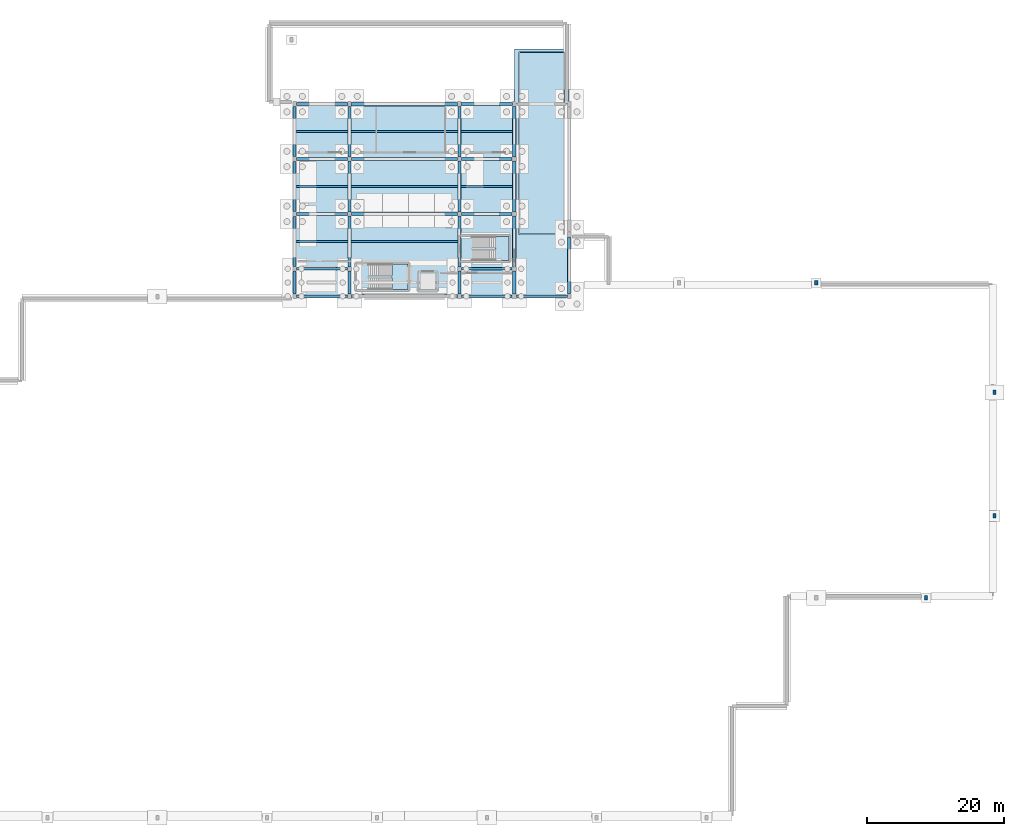
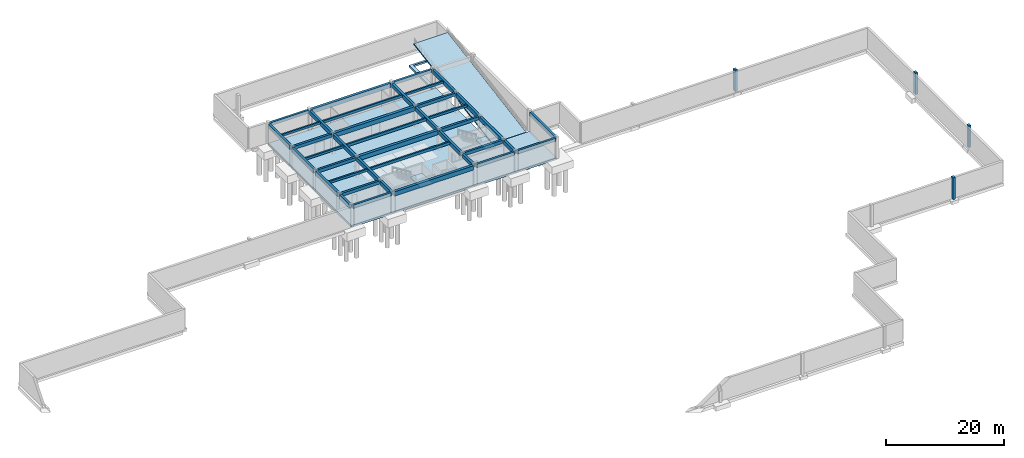
# One storey, part 4 of 11: 40 beams, 5 slabs, 4 columns, 2 elements without a shape of their own.
"""IFC4 building model written with IfcOpenShell, lengths in metres."""

from ifc_helpers import new_model, si_unit, direction, frame, origin, origin_2d, place, context, subcontext, project, spatial, polyline, rectangle, outline, extrude, material, layer, layer_set, material_profile, profile_set, type_object, element, aggregate, save


model = new_model("IFC4")

# Units and contexts
model_context = context("Model", 3, precision=1e-05, world=origin(), true_north=direction((0.0, 1.0)))
body_context = subcontext(model_context, "Body", "Model", "MODEL_VIEW")
ifc_project = project(units=[si_unit("LENGTHUNIT", "METRE"), si_unit("AREAUNIT", "SQUARE_METRE"), si_unit("VOLUMEUNIT", "CUBIC_METRE"), si_unit("PLANEANGLEUNIT", "RADIAN"), si_unit("MASSUNIT", "GRAM", prefix="KILO")], contexts=[model_context])

# Site, building, storey
site_placement = place(None, origin())
site = spatial("IfcSite", under=ifc_project, at=site_placement, CompositionType="ELEMENT")
building_placement = place(site_placement, origin())
building = spatial("IfcBuilding", under=site, at=building_placement, Name="Serraluz Foothill Cableway Terminal", CompositionType="ELEMENT")
storey_placement = place(building_placement, frame((0.0, 0.0, -4.5)))
storey = spatial("IfcBuildingStorey", under=building, at=storey_placement, Name="B1", CompositionType="ELEMENT", Elevation=-4.5)

# Columns
ifc_material_1 = material(Name="Andean basalt ashlar masonry (f'm 18 MPa)", Category="masonry")
ifc_material_profile_1 = material_profile(ifc_material_1, rectangle(XDim=0.449951171875, YDim=0.64990234375, at=origin_2d()), Name="PIL 450x650")
ifc_profile_set_1 = profile_set([ifc_material_profile_1], Name="Andean basalt ashlar masonry (f'm 18 MPa)")
column_type = type_object("IfcColumnType", Name="TYP-PIL-450X650", PredefinedType="PILASTER", material=ifc_profile_set_1)
for number, where, z_axis, x_axis, name in (
    (1, (164.0, 32.050048828125, 0.0), (0.0, 0.0, 1.0), (1.0, 0.0, 0.0), "Brick Pilaster Pier PL-51 B1"),
    (2, (173.949951171875, 44.0, 0.0), (0.0, 0.0, 1.0), (1.0, 0.0, 0.0), "Brick Pilaster Pier PL-52 B1"),
    (3, (173.949951171875, 62.0, 0.0), (0.0, 0.0, 1.0), (1.0, 0.0, 0.0), "Brick Pilaster Pier PL-53 B1"),
    (4, (148.0, 77.949951171875, 0.0), (0.0, 0.0, 1.0), (1.0, 0.0, 0.0), "Brick Pilaster Pier PL-54 B1"),
):
    element("IfcColumn", number, at=place(storey_placement, frame(where, z_axis=z_axis, x_axis=x_axis)), inside=storey, type_object=column_type, Name=name, PredefinedType="PILASTER", context=body_context, shape_type="SweptSolid", body=[
        extrude(rectangle(XDim=0.449951171875, YDim=0.64990234375, at=origin_2d()), origin(), (0.0, 0.0, 1.0), 4.5),
    ])

# Beams
ifc_material_2 = material(Name="Concrete C28/35 (f'c 28 MPa)", Category="concrete")
ifc_material_profile_2 = material_profile(ifc_material_2, rectangle(XDim=0.39990234375, YDim=0.64990234375, at=origin_2d()), Name="RC 400x650")
ifc_profile_set_2 = profile_set([ifc_material_profile_2], Name="Concrete C28/35 (f'c 28 MPa)")
beam_type_1 = type_object("IfcBeamType", Name="TYP-BM-RC400X650", PredefinedType="BEAM", material=ifc_profile_set_2)
beam_1_placement = place(storey_placement, frame((72.24609375, 76.0, 3.875), z_axis=(1.0, 0.0, 0.0), x_axis=(0.0, 1.0, 0.0)))
element("IfcBeam", 5, at=beam_1_placement, inside=storey, type_object=beam_type_1, Name="Primary Girder BM-X-B1-0001", PredefinedType="BEAM", context=body_context, shape_type="SweptSolid", body=[
    extrude(rectangle(XDim=0.39990234375, YDim=0.64990234375, at=origin_2d()), origin(), (0.0, 0.0, 1.0), 7.4580078125),
])
beam_2_placement = place(storey_placement, frame((96.2958984375, 76.0, 3.875), z_axis=(1.0, 0.0, 0.0), x_axis=(0.0, 1.0, 0.0)))
element("IfcBeam", 6, at=beam_2_placement, inside=storey, type_object=beam_type_1, Name="Primary Girder BM-X-B1-0003", PredefinedType="BEAM", context=body_context, shape_type="SweptSolid", body=[
    extrude(rectangle(XDim=0.39990234375, YDim=0.64990234375, at=origin_2d()), origin(), (0.0, 0.0, 1.0), 7.408203125),
])
for number, where, z_axis, x_axis, name in (
    (7, (104.2958984375, 76.0, 3.875), (1.0, 0.0, 0.0), (0.0, 1.0, 0.0), "Primary Girder BM-X-B1-0004"),
    (8, (72.24609375, 80.0, 3.875), (1.0, 0.0, 0.0), (0.0, 1.0, 0.0), "Primary Girder BM-X-B1-0005"),
):
    element("IfcBeam", number, at=place(storey_placement, frame(where, z_axis=z_axis, x_axis=x_axis)), inside=storey, type_object=beam_type_1, Name=name, PredefinedType="BEAM", context=body_context, shape_type="SweptSolid", body=[
        extrude(rectangle(XDim=0.39990234375, YDim=0.64990234375, at=origin_2d()), origin(), (0.0, 0.0, 1.0), 7.4580078125),
    ])
beam_3_placement = place(storey_placement, frame((96.2958984375, 80.0, 3.875), z_axis=(1.0, 0.0, 0.0), x_axis=(0.0, 1.0, 0.0)))
element("IfcBeam", 9, at=beam_3_placement, inside=storey, type_object=beam_type_1, Name="Primary Girder BM-X-B1-0006", PredefinedType="BEAM", context=body_context, shape_type="SweptSolid", body=[
    extrude(rectangle(XDim=0.39990234375, YDim=0.64990234375, at=origin_2d()), origin(), (0.0, 0.0, 1.0), 7.408203125),
])
beam_4_placement = place(storey_placement, frame((72.24609375, 88.0, 3.875), z_axis=(1.0, 0.0, 0.0), x_axis=(0.0, 1.0, 0.0)))
element("IfcBeam", 10, at=beam_4_placement, inside=storey, type_object=beam_type_1, Name="Primary Girder BM-X-B1-0007", PredefinedType="BEAM", context=body_context, shape_type="SweptSolid", body=[
    extrude(rectangle(XDim=0.39990234375, YDim=0.64990234375, at=origin_2d()), origin(), (0.0, 0.0, 1.0), 7.4580078125),
])
beam_5_placement = place(storey_placement, frame((96.2958984375, 88.0, 3.875), z_axis=(1.0, 0.0, 0.0), x_axis=(0.0, 1.0, 0.0)))
element("IfcBeam", 11, at=beam_5_placement, inside=storey, type_object=beam_type_1, Name="Primary Girder BM-X-B1-0009", PredefinedType="BEAM", context=body_context, shape_type="SweptSolid", body=[
    extrude(rectangle(XDim=0.39990234375, YDim=0.64990234375, at=origin_2d()), origin(), (0.0, 0.0, 1.0), 7.408203125),
])
beam_6_placement = place(storey_placement, frame((72.24609375, 96.0, 3.875), z_axis=(1.0, 0.0, 0.0), x_axis=(0.0, 1.0, 0.0)))
element("IfcBeam", 12, at=beam_6_placement, inside=storey, type_object=beam_type_1, Name="Primary Girder BM-X-B1-0010", PredefinedType="BEAM", context=body_context, shape_type="SweptSolid", body=[
    extrude(rectangle(XDim=0.39990234375, YDim=0.64990234375, at=origin_2d()), origin(), (0.0, 0.0, 1.0), 7.4580078125),
])
beam_7_placement = place(storey_placement, frame((96.2958984375, 96.0, 3.875), z_axis=(1.0, 0.0, 0.0), x_axis=(0.0, 1.0, 0.0)))
element("IfcBeam", 13, at=beam_7_placement, inside=storey, type_object=beam_type_1, Name="Primary Girder BM-X-B1-0012", PredefinedType="BEAM", context=body_context, shape_type="SweptSolid", body=[
    extrude(rectangle(XDim=0.39990234375, YDim=0.64990234375, at=origin_2d()), origin(), (0.0, 0.0, 1.0), 7.408203125),
])
for number, where, z_axis, x_axis, name in (
    (14, (72.24609375, 104.0, 3.875), (1.0, 0.0, 0.0), (0.0, 1.0, 0.0), "Primary Girder BM-X-B1-0013"),
    (15, (96.24609375, 104.0, 3.875), (1.0, 0.0, 0.0), (0.0, 1.0, 0.0), "Primary Girder BM-X-B1-0015"),
):
    element("IfcBeam", number, at=place(storey_placement, frame(where, z_axis=z_axis, x_axis=x_axis)), inside=storey, type_object=beam_type_1, Name=name, PredefinedType="BEAM", context=body_context, shape_type="SweptSolid", body=[
        extrude(rectangle(XDim=0.39990234375, YDim=0.64990234375, at=origin_2d()), origin(), (0.0, 0.0, 1.0), 7.5078125),
    ])
ifc_material_3 = material(Name="Concrete C35/45 (f'c 35 MPa)", Category="concrete")
ifc_material_profile_3 = material_profile(ifc_material_3, rectangle(XDim=0.449951171875, YDim=0.800048828125, at=origin_2d()), Name="RC 450x800")
ifc_profile_set_3 = profile_set([ifc_material_profile_3], Name="Concrete C35/45 (f'c 35 MPa)")
beam_type_2 = type_object("IfcBeamType", Name="TYP-BM-RC450X800", PredefinedType="BEAM", material=ifc_profile_set_3)
beam_8_placement = place(storey_placement, frame((72.0, 76.345947265625, 3.800048828125), z_axis=(0.0, 1.0, 0.0), x_axis=(-1.0, 0.0, 0.0)))
element("IfcBeam", 16, at=beam_8_placement, inside=storey, type_object=beam_type_2, Name="Transverse Girder BM-Y-B1-0016", PredefinedType="BEAM", context=body_context, shape_type="SweptSolid", body=[
    extrude(rectangle(XDim=0.449951171875, YDim=0.800048828125, at=origin_2d()), origin(), (0.0, 0.0, 1.0), 3.30810546875),
])
for number, where, z_axis, x_axis, name in (
    (17, (72.0, 80.345947265625, 3.800048828125), (0.0, 1.0, 0.0), (-1.0, 0.0, 0.0), "Transverse Girder BM-Y-B1-0017"),
    (18, (72.0, 88.345947265625, 3.800048828125), (0.0, 1.0, 0.0), (-1.0, 0.0, 0.0), "Transverse Girder BM-Y-B1-0018"),
    (19, (72.0, 96.345947265625, 3.800048828125), (0.0, 1.0, 0.0), (-1.0, 0.0, 0.0), "Transverse Girder BM-Y-B1-0019"),
):
    element("IfcBeam", number, at=place(storey_placement, frame(where, z_axis=z_axis, x_axis=x_axis)), inside=storey, type_object=beam_type_2, Name=name, PredefinedType="BEAM", context=body_context, shape_type="SweptSolid", body=[
        extrude(rectangle(XDim=0.449951171875, YDim=0.800048828125, at=origin_2d()), origin(), (0.0, 0.0, 1.0), 7.30810546875),
    ])
beam_9_placement = place(storey_placement, frame((80.0, 76.2958984375, 3.800048828125), z_axis=(0.0, 1.0, 0.0), x_axis=(-1.0, 0.0, 0.0)))
element("IfcBeam", 20, at=beam_9_placement, inside=storey, type_object=beam_type_2, Name="Transverse Girder BM-Y-B1-0020", PredefinedType="BEAM", context=body_context, shape_type="SweptSolid", body=[
    extrude(rectangle(XDim=0.449951171875, YDim=0.800048828125, at=origin_2d()), origin(), (0.0, 0.0, 1.0), 3.408203125),
])
for number, where, z_axis, x_axis, name in (
    (21, (80.0, 80.2958984375, 3.800048828125), (0.0, 1.0, 0.0), (-1.0, 0.0, 0.0), "Transverse Girder BM-Y-B1-0021"),
    (22, (80.0, 88.2958984375, 3.800048828125), (0.0, 1.0, 0.0), (-1.0, 0.0, 0.0), "Transverse Girder BM-Y-B1-0022"),
):
    element("IfcBeam", number, at=place(storey_placement, frame(where, z_axis=z_axis, x_axis=x_axis)), inside=storey, type_object=beam_type_2, Name=name, PredefinedType="BEAM", context=body_context, shape_type="SweptSolid", body=[
        extrude(rectangle(XDim=0.449951171875, YDim=0.800048828125, at=origin_2d()), origin(), (0.0, 0.0, 1.0), 7.408203125),
    ])
beam_10_placement = place(storey_placement, frame((80.0, 96.2958984375, 3.800048828125), z_axis=(0.0, 1.0, 0.0), x_axis=(-1.0, 0.0, 0.0)))
element("IfcBeam", 23, at=beam_10_placement, inside=storey, type_object=beam_type_2, Name="Transverse Girder BM-Y-B1-0023", PredefinedType="BEAM", context=body_context, shape_type="SweptSolid", body=[
    extrude(rectangle(XDim=0.449951171875, YDim=0.800048828125, at=origin_2d()), origin(), (0.0, 0.0, 1.0), 7.358154296875),
])
beam_11_placement = place(storey_placement, frame((96.0, 76.2958984375, 3.800048828125), z_axis=(0.0, 1.0, 0.0), x_axis=(-1.0, 0.0, 0.0)))
element("IfcBeam", 24, at=beam_11_placement, inside=storey, type_object=beam_type_2, Name="Transverse Girder BM-Y-B1-0024", PredefinedType="BEAM", context=body_context, shape_type="SweptSolid", body=[
    extrude(rectangle(XDim=0.449951171875, YDim=0.800048828125, at=origin_2d()), origin(), (0.0, 0.0, 1.0), 3.408203125),
])
for number, where, z_axis, x_axis, name in (
    (25, (96.0, 80.2958984375, 3.800048828125), (0.0, 1.0, 0.0), (-1.0, 0.0, 0.0), "Transverse Girder BM-Y-B1-0025"),
    (26, (96.0, 88.2958984375, 3.800048828125), (0.0, 1.0, 0.0), (-1.0, 0.0, 0.0), "Transverse Girder BM-Y-B1-0026"),
):
    element("IfcBeam", number, at=place(storey_placement, frame(where, z_axis=z_axis, x_axis=x_axis)), inside=storey, type_object=beam_type_2, Name=name, PredefinedType="BEAM", context=body_context, shape_type="SweptSolid", body=[
        extrude(rectangle(XDim=0.449951171875, YDim=0.800048828125, at=origin_2d()), origin(), (0.0, 0.0, 1.0), 7.408203125),
    ])
beam_12_placement = place(storey_placement, frame((96.0, 96.2958984375, 3.800048828125), z_axis=(0.0, 1.0, 0.0), x_axis=(-1.0, 0.0, 0.0)))
element("IfcBeam", 27, at=beam_12_placement, inside=storey, type_object=beam_type_2, Name="Transverse Girder BM-Y-B1-0027", PredefinedType="BEAM", context=body_context, shape_type="SweptSolid", body=[
    extrude(rectangle(XDim=0.449951171875, YDim=0.800048828125, at=origin_2d()), origin(), (0.0, 0.0, 1.0), 7.358154296875),
])
beam_13_placement = place(storey_placement, frame((104.0, 76.2958984375, 3.800048828125), z_axis=(0.0, 1.0, 0.0), x_axis=(-1.0, 0.0, 0.0)))
element("IfcBeam", 28, at=beam_13_placement, inside=storey, type_object=beam_type_2, Name="Transverse Girder BM-Y-B1-0028", PredefinedType="BEAM", context=body_context, shape_type="SweptSolid", body=[
    extrude(rectangle(XDim=0.449951171875, YDim=0.800048828125, at=origin_2d()), origin(), (0.0, 0.0, 1.0), 3.408203125),
])
for number, where, z_axis, x_axis, name in (
    (29, (104.0, 80.2958984375, 3.800048828125), (0.0, 1.0, 0.0), (-1.0, 0.0, 0.0), "Transverse Girder BM-Y-B1-0029"),
    (30, (104.0, 88.2958984375, 3.800048828125), (0.0, 1.0, 0.0), (-1.0, 0.0, 0.0), "Transverse Girder BM-Y-B1-0030"),
):
    element("IfcBeam", number, at=place(storey_placement, frame(where, z_axis=z_axis, x_axis=x_axis)), inside=storey, type_object=beam_type_2, Name=name, PredefinedType="BEAM", context=body_context, shape_type="SweptSolid", body=[
        extrude(rectangle(XDim=0.449951171875, YDim=0.800048828125, at=origin_2d()), origin(), (0.0, 0.0, 1.0), 7.408203125),
    ])
beam_14_placement = place(storey_placement, frame((104.0, 96.2958984375, 3.800048828125), z_axis=(0.0, 1.0, 0.0), x_axis=(-1.0, 0.0, 0.0)))
element("IfcBeam", 31, at=beam_14_placement, inside=storey, type_object=beam_type_2, Name="Transverse Girder BM-Y-B1-0031", PredefinedType="BEAM", context=body_context, shape_type="SweptSolid", body=[
    extrude(rectangle(XDim=0.449951171875, YDim=0.800048828125, at=origin_2d()), origin(), (0.0, 0.0, 1.0), 7.358154296875),
])
beam_15_placement = place(storey_placement, frame((112.0, 76.345947265625, 3.800048828125), z_axis=(0.0, 1.0, 0.0), x_axis=(-1.0, 0.0, 0.0)))
element("IfcBeam", 32, at=beam_15_placement, inside=storey, type_object=beam_type_2, Name="Transverse Girder BM-Y-B1-0032", PredefinedType="BEAM", context=body_context, shape_type="SweptSolid", body=[
    extrude(rectangle(XDim=0.449951171875, YDim=0.800048828125, at=origin_2d()), origin(), (0.0, 0.0, 1.0), 8.30810546875),
])
ifc_material_profile_4 = material_profile(ifc_material_3, rectangle(XDim=0.5, YDim=0.89990234375, at=origin_2d()), Name="RC 500x900")
ifc_profile_set_4 = profile_set([ifc_material_profile_4], Name="Concrete C35/45 (f'c 35 MPa)")
beam_type_3 = type_object("IfcBeamType", Name="TYP-BM-RC500X900", PredefinedType="BEAM", material=ifc_profile_set_4)
for number, where, z_axis, x_axis, name in (
    (33, (80.2958984375, 76.0, 3.75), (1.0, 0.0, 0.0), (0.0, 1.0, 0.0), "Primary Girder BM-X-B1-0002"),
    (34, (80.2958984375, 88.0, 3.75), (1.0, 0.0, 0.0), (0.0, 1.0, 0.0), "Primary Girder BM-X-B1-0008"),
    (35, (80.2958984375, 96.0, 3.75), (1.0, 0.0, 0.0), (0.0, 1.0, 0.0), "Primary Girder BM-X-B1-0011"),
):
    element("IfcBeam", number, at=place(storey_placement, frame(where, z_axis=z_axis, x_axis=x_axis)), inside=storey, type_object=beam_type_3, Name=name, PredefinedType="BEAM", context=body_context, shape_type="SweptSolid", body=[
        extrude(rectangle(XDim=0.5, YDim=0.89990234375, at=origin_2d()), origin(), (0.0, 0.0, 1.0), 15.408203125),
    ])
beam_16_placement = place(storey_placement, frame((80.24609375, 104.0, 3.75), z_axis=(1.0, 0.0, 0.0), x_axis=(0.0, 1.0, 0.0)))
element("IfcBeam", 36, at=beam_16_placement, inside=storey, type_object=beam_type_3, Name="Primary Girder BM-X-B1-0014", PredefinedType="BEAM", context=body_context, shape_type="SweptSolid", body=[
    extrude(rectangle(XDim=0.5, YDim=0.89990234375, at=origin_2d()), origin(), (0.0, 0.0, 1.0), 15.5078125),
])
ifc_material_profile_5 = material_profile(ifc_material_2, rectangle(XDim=0.300048828125, YDim=0.449951171875, at=origin_2d()), Name="RC 300x450")
ifc_profile_set_5 = profile_set([ifc_material_profile_5], Name="Concrete C28/35 (f'c 28 MPa)")
beam_type_4 = type_object("IfcBeamType", Name="TYP-JS-RC300X450", PredefinedType="JOIST", material=ifc_profile_set_5)
for number, where, z_axis, x_axis, name in (
    (37, (72.22998046875, 84.0, 3.97509765625), (1.0, 0.0, 0.0), (0.0, 1.0, 0.0), "Secondary Floor Joist JS-B1-0001"),
    (38, (72.22998046875, 92.0, 3.97509765625), (1.0, 0.0, 0.0), (0.0, 1.0, 0.0), "Secondary Floor Joist JS-B1-0002"),
    (39, (72.22998046875, 100.0, 3.97509765625), (1.0, 0.0, 0.0), (0.0, 1.0, 0.0), "Secondary Floor Joist JS-B1-0003"),
    (40, (96.22998046875, 92.0, 3.97509765625), (1.0, 0.0, 0.0), (0.0, 1.0, 0.0), "Secondary Floor Joist JS-B1-0007"),
    (41, (96.22998046875, 100.0, 3.97509765625), (1.0, 0.0, 0.0), (0.0, 1.0, 0.0), "Secondary Floor Joist JS-B1-0008"),
):
    element("IfcBeam", number, at=place(storey_placement, frame(where, z_axis=z_axis, x_axis=x_axis)), inside=storey, type_object=beam_type_4, Name=name, PredefinedType="JOIST", context=body_context, shape_type="SweptSolid", body=[
        extrude(rectangle(XDim=0.300048828125, YDim=0.449951171875, at=origin_2d()), origin(), (0.0, 0.0, 1.0), 7.5400390625),
    ])
ifc_material_profile_6 = material_profile(ifc_material_2, rectangle(XDim=0.300048828125, YDim=0.550048828125, at=origin_2d()), Name="RC 300x550")
ifc_profile_set_6 = profile_set([ifc_material_profile_6], Name="Concrete C28/35 (f'c 28 MPa)")
beam_type_5 = type_object("IfcBeamType", Name="TYP-JS-RC300X550", PredefinedType="JOIST", material=ifc_profile_set_6)
for number, where, z_axis, x_axis, name in (
    (42, (80.22998046875, 84.0, 3.925048828125), (1.0, 0.0, 0.0), (0.0, 1.0, 0.0), "Secondary Floor Joist JS-B1-0004"),
    (43, (80.22998046875, 92.0, 3.925048828125), (1.0, 0.0, 0.0), (0.0, 1.0, 0.0), "Secondary Floor Joist JS-B1-0005"),
    (44, (80.22998046875, 100.0, 3.925048828125), (1.0, 0.0, 0.0), (0.0, 1.0, 0.0), "Secondary Floor Joist JS-B1-0006"),
):
    element("IfcBeam", number, at=place(storey_placement, frame(where, z_axis=z_axis, x_axis=x_axis)), inside=storey, type_object=beam_type_5, Name=name, PredefinedType="JOIST", context=body_context, shape_type="SweptSolid", body=[
        extrude(rectangle(XDim=0.300048828125, YDim=0.550048828125, at=origin_2d()), origin(), (0.0, 0.0, 1.0), 15.5400390625),
    ])

# Slabs
ifc_layer_1 = layer(ifc_material_2, 0.35009765625, Name="Concrete C28/35 (f'c 28 MPa)", Category="concrete")
ifc_layer_set_1 = layer_set([ifc_layer_1], Name="Concrete C28/35 (f'c 28 MPa)")
slab_type_1 = type_object("IfcSlabType", Name="TYP-SLB-BASE-350", PredefinedType="BASESLAB", material=ifc_layer_set_1)
slab_1_placement = place(storey_placement, frame((0.0, 0.0, -0.35009765625)))
element("IfcSlab", 45, at=slab_1_placement, inside=storey, type_object=slab_type_1, Name="Structural Slab SLB-B1-RMP01", PredefinedType="BASESLAB", context=body_context, shape_type="SweptSolid", body=[
    extrude(outline(polyline([(104.0, 104.0), (104.659912109375, 104.0), (104.659912109375, 111.60009765625), (111.340087890625, 111.60009765625), (111.340087890625, 104.0), (112.0, 104.0), (112.0, 112.0), (104.0, 112.0), (104.0, 104.0)])), origin(), (0.0, 0.0, 1.0), 0.35009765625),
])
ifc_layer_2 = layer(ifc_material_3, 0.449951171875, Name="Concrete C35/45 (f'c 35 MPa)", Category="concrete")
ifc_layer_set_2 = layer_set([ifc_layer_2], Name="Concrete C35/45 (f'c 35 MPa)")
slab_type_2 = type_object("IfcSlabType", Name="TYP-SLB-BASE-450", PredefinedType="BASESLAB", material=ifc_layer_set_2)
slab_2_placement = place(storey_placement, frame((0.0, 0.0, -0.449951171875)))
element("IfcSlab", 46, at=slab_2_placement, inside=storey, type_object=slab_type_2, Name="Structural Slab SLB-B1-V4", PredefinedType="BASESLAB", context=body_context, shape_type="SweptSolid", body=[
    extrude(outline(polyline([(72.0, 76.0), (112.0, 76.0), (112.0, 85.0), (104.659912109375, 85.0), (104.659912109375, 104.0), (72.0, 104.0), (72.0, 76.0)])), origin(), (0.0, 0.0, 1.0), 0.449951171875),
])
ifc_layer_3 = layer(ifc_material_2, 0.25, Name="Concrete C28/35 (f'c 28 MPa)", Category="concrete")
ifc_layer_set_3 = layer_set([ifc_layer_3], Name="Concrete C28/35 (f'c 28 MPa)")
slab_type_3 = type_object("IfcSlabType", Name="TYP-SLB-FLR-250", PredefinedType="FLOOR", material=ifc_layer_set_3)
slab_3_placement = place(storey_placement, frame((104.699951171875, 85.050048828125, 0.0), z_axis=(0.0, -0.167414699656, 0.985886564641), x_axis=(1.0, 0.0, 0.0)))
element("IfcSlab", 47, at=slab_3_placement, inside=storey, type_object=slab_type_3, Name="Underground Car Park Vehicle Ramp Structural Slab SLB-RMP-V1", PredefinedType="FLOOR", context=body_context, shape_type="SweptSolid", body=[
    extrude(outline(polyline([(0.0, 0.0), (6.60009765625, 0.0), (6.60009765625, 26.87936011143122), (0.0, 26.87936011143122), (0.0, 0.0)])), origin(), (0.0, 0.0, -1.0), 0.25),
])

# Stair, slab
stair_type_1 = type_object("IfcStairType", Name="TYP-ST-DOG-176-45", PredefinedType="HALF_TURN_STAIR", material=ifc_material_3)
stair_1_placement = place(storey_placement, origin())
stair_1 = element("IfcStair", 48, at=stair_1_placement, inside=storey, type_object=stair_type_1, Name="B1 ST-08", PredefinedType="HALF_TURN_STAIR")
ifc_layer_4 = layer(ifc_material_2, 0.199951171875, Name="Concrete C28/35 (f'c 28 MPa)", Category="concrete")
ifc_layer_set_4 = layer_set([ifc_layer_4], Name="Concrete C28/35 (f'c 28 MPa)")
slab_type_4 = type_object("IfcSlabType", Name="TYP-SLB-LND-200", PredefinedType="LANDING", material=ifc_layer_set_4)
slab_4_placement = place(storey_placement, frame((0.0, 0.0, 2.050048828125)))
slab_4 = element("IfcSlab", 49, at=slab_4_placement, type_object=slab_type_4, Name="ST-08 landing 1", PredefinedType="LANDING", context=body_context, shape_type="SweptSolid", body=[
    extrude(outline(polyline([(86.179931640625, 77.0), (88.510009765625, 77.0), (88.510009765625, 80.679931640625), (86.179931640625, 80.679931640625), (86.179931640625, 77.0)])), origin(), (0.0, 0.0, 1.0), 0.199951171875),
])
aggregate(stair_1, [slab_4])

stair_type_2 = type_object("IfcStairType", Name="TYP-ST-DOG-166-45", PredefinedType="HALF_TURN_STAIR", material=ifc_material_3)
stair_2_placement = place(storey_placement, origin())
stair_2 = element("IfcStair", 50, at=stair_2_placement, inside=storey, type_object=stair_type_2, Name="B1 ST-09", PredefinedType="HALF_TURN_STAIR")
slab_5_placement = place(storey_placement, frame((0.0, 0.0, 2.050048828125)))
slab_5 = element("IfcSlab", 51, at=slab_5_placement, type_object=slab_type_4, Name="ST-09 landing 1", PredefinedType="LANDING", context=body_context, shape_type="SweptSolid", body=[
    extrude(outline(polyline([(101.280029296875, 81.199951171875), (103.22509765625, 81.199951171875), (103.22509765625, 84.679931640625), (101.280029296875, 84.679931640625), (101.280029296875, 81.199951171875)])), origin(), (0.0, 0.0, 1.0), 0.199951171875),
])
aggregate(stair_2, [slab_5])

save(model, "model.ifc")
